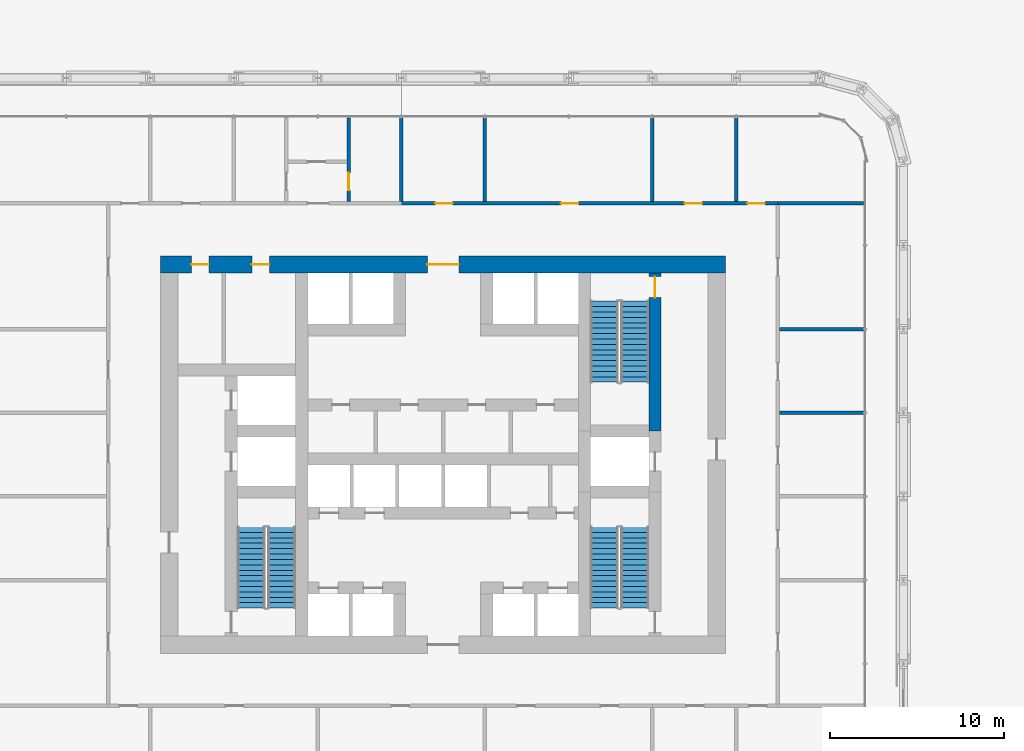
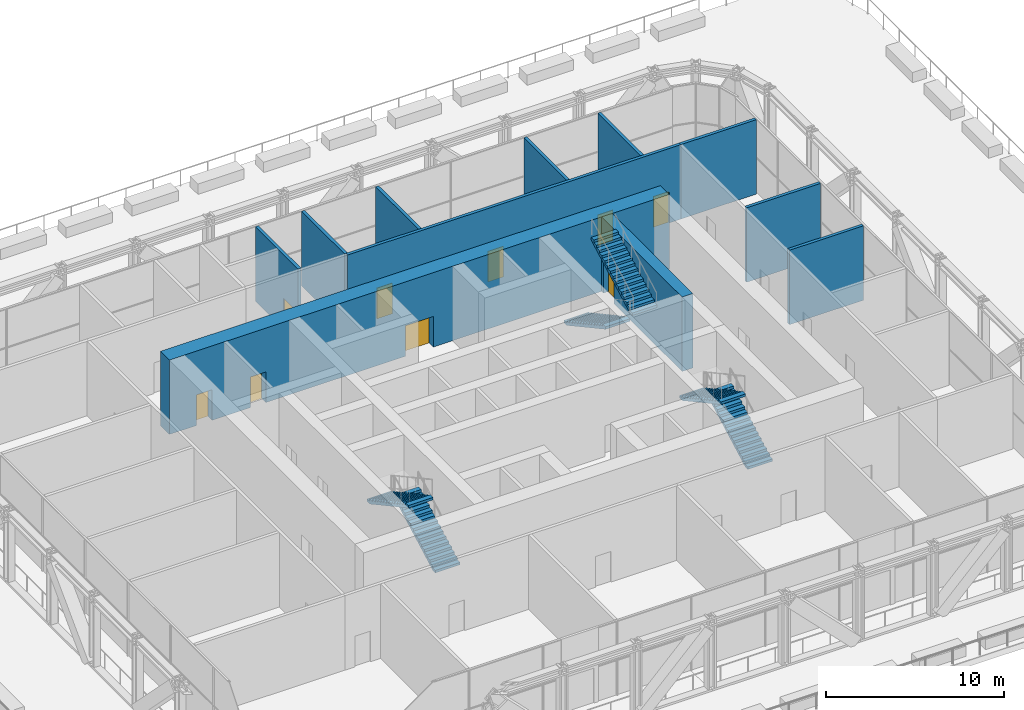
# One storey, part 16 of 22: 11 walls, 9 doors, 6 stair flights, 9 openings, 3 elements without a shape of their own.
"""IFC4 building model written with IfcOpenShell, lengths in metres."""

from ifc_helpers import new_model, si_unit, direction, frame, frame_2d, origin, place, context, subcontext, project, spatial, polyline, rectangle, outline, extrude, material, layer, layer_set, type_object, element, fill, aggregate, save


model = new_model("IFC4")

# Units and contexts
model_context = context("Model", 3, precision=1e-05, world=origin(), true_north=direction((0.0, 1.0)))
body_context = subcontext(model_context, "Body", "Model", "MODEL_VIEW")
ifc_project = project(units=[si_unit("LENGTHUNIT", "METRE"), si_unit("AREAUNIT", "SQUARE_METRE"), si_unit("VOLUMEUNIT", "CUBIC_METRE"), si_unit("PLANEANGLEUNIT", "RADIAN"), si_unit("MASSUNIT", "GRAM", prefix="KILO")], contexts=[model_context])

# Site, building, storey
site_placement = place(None, origin())
site = spatial("IfcSite", under=ifc_project, at=site_placement, CompositionType="ELEMENT")
building_placement = place(site_placement, origin())
building = spatial("IfcBuilding", under=site, at=building_placement, Name="Madar Terraces", CompositionType="ELEMENT")
storey_placement = place(building_placement, frame((0.0, 0.0, 24.0)))
storey = spatial("IfcBuildingStorey", under=building, at=storey_placement, Name="L05", CompositionType="ELEMENT", Elevation=24.0)

# Wall, opening, door
ifc_material_1 = material(Name="Concrete C80/95", Category="concrete")
ifc_layer_1 = layer(ifc_material_1, 0.699951171875)
ifc_layer_set_1 = layer_set([ifc_layer_1], Name="Concrete C80/95 (CIW1 RC wall 700)")
wall_type_1 = type_object("IfcWallType", Name="CIW1 RC wall 700", PredefinedType="SHEAR", material=ifc_layer_set_1)
wall_1_placement = place(storey_placement, frame((43.35009765625, 27.75, 0.0), z_axis=(0.0, 0.0, 1.0), x_axis=(0.0, 1.0, 0.0)))
wall_1 = element("IfcWall", 1, at=wall_1_placement, inside=storey, type_object=wall_type_1, Name="CORE SHAFT WALL", PredefinedType="SHEAR", context=body_context, shape_type="SweptSolid", body=[
    extrude(rectangle(XDim=9.050048828125, YDim=0.699951171875, at=frame_2d((4.52490234375, 0.0))), origin(), (0.0, 0.0, 1.0), 5.10009765625),
])
opening_1_placement = place(wall_1_placement, frame((7.64990234375, 0.0, 0.0)))
opening_1 = element("IfcOpeningElement", 2, at=opening_1_placement, cuts=wall_1, Name="Opening SD1", PredefinedType="OPENING", context=body_context, shape_type="SweptSolid", body=[
    extrude(rectangle(XDim=1.199951171875, YDim=2.10009765625, at=frame_2d((0.60009765625, 1.050048828125))), frame((0.0, 0.35986328125, 0.0), z_axis=(0.0, -1.0, 0.0), x_axis=(1.0, 0.0, 0.0)), (0.0, 0.0, 1.0), 0.719970703125),
])
ifc_material_2 = material(Name="Steel door leaf", Category="steel")
door_type_1 = type_object("IfcDoorType", Name="Stair door 1200 x 2100", OperationType="NOTDEFINED", PredefinedType="DOOR", material=ifc_material_2)
door_1_placement = place(opening_1_placement, origin())
door_1 = element("IfcDoor", 3, at=door_1_placement, inside=storey, type_object=door_type_1, Name="STAIR DOOR", OperationType="SINGLE_SWING_LEFT", OverallHeight=2.10009765625, OverallWidth=1.199951171875, PredefinedType="DOOR", context=body_context, shape_type="SweptSolid", body=[
    extrude(rectangle(XDim=1.199951171875, YDim=2.10009765625, at=frame_2d((0.60009765625, 1.050048828125))), frame((0.0, 0.02490234375, 0.0), z_axis=(0.0, -1.0, 0.0), x_axis=(1.0, 0.0, 0.0)), (0.0, 0.0, 1.0), 0.050048828125),
])
fill(opening_1, door_1)

# Wall, openings, doors
ifc_material_3 = material(Name="Concrete C80/95", Category="concrete")
ifc_layer_2 = layer(ifc_material_3, 1.0)
ifc_layer_set_2 = layer_set([ifc_layer_2], Name="Concrete C80/95 (CRW1 RC wall 1000)")
wall_type_2 = type_object("IfcWallType", Name="CRW1 RC wall 1000", PredefinedType="SHEAR", material=ifc_layer_set_2)
wall_2_placement = place(storey_placement, frame((15.0, 37.300048828125, 0.0), z_axis=(0.0, 0.0, 1.0), x_axis=(1.0, 0.0, 0.0)))
wall_2 = element("IfcWall", 4, at=wall_2_placement, inside=storey, type_object=wall_type_2, Name="CORE OUTER WALL", PredefinedType="SHEAR", context=body_context, shape_type="SweptSolid", body=[
    extrude(rectangle(XDim=32.39990234375, YDim=1.0, at=frame_2d((16.199951171875, 0.0))), origin(), (0.0, 0.0, 1.0), 5.10009765625),
])
opening_2_placement = place(wall_2_placement, frame((15.300048828125, 0.0, 0.0)))
opening_2 = element("IfcOpeningElement", 5, at=opening_2_placement, cuts=wall_2, Name="Opening KD1", PredefinedType="OPENING", context=body_context, shape_type="SweptSolid", body=[
    extrude(rectangle(XDim=1.800048828125, YDim=2.10009765625, at=frame_2d((0.89990234375, 1.050048828125))), frame((0.0, 0.510009765625, 0.0), z_axis=(0.0, -1.0, 0.0), x_axis=(1.0, 0.0, 0.0)), (0.0, 0.0, 1.0), 1.02001953125),
])
opening_3_placement = place(wall_2_placement, frame((1.766357421875, 0.0, 0.0)))
opening_3 = element("IfcOpeningElement", 6, at=opening_3_placement, cuts=wall_2, Name="Opening KD2", PredefinedType="OPENING", context=body_context, shape_type="SweptSolid", body=[
    extrude(rectangle(XDim=1.0, YDim=2.10009765625, at=frame_2d((0.5, 1.050048828125))), frame((0.0, 0.510009765625, 0.0), z_axis=(0.0, -1.0, 0.0), x_axis=(1.0, 0.0, 0.0)), (0.0, 0.0, 1.0), 1.02001953125),
])
opening_4_placement = place(wall_2_placement, frame((5.2412109375, 0.0, 0.0)))
opening_4 = element("IfcOpeningElement", 7, at=opening_4_placement, cuts=wall_2, Name="Opening KD2", PredefinedType="OPENING", context=body_context, shape_type="SweptSolid", body=[
    extrude(rectangle(XDim=1.0, YDim=2.10009765625, at=frame_2d((0.5, 1.050048828125))), frame((0.0, 0.510009765625, 0.0), z_axis=(0.0, -1.0, 0.0), x_axis=(1.0, 0.0, 0.0)), (0.0, 0.0, 1.0), 1.02001953125),
])
ifc_material_4 = material(Name="Steel door leaf", Category="steel")
door_type_2 = type_object("IfcDoorType", Name="Lobby door pair 1800 x 2100", OperationType="DOUBLE_DOOR_SINGLE_SWING", PredefinedType="DOOR", material=ifc_material_4)
door_2_placement = place(opening_2_placement, origin())
door_2 = element("IfcDoor", 8, at=door_2_placement, inside=storey, type_object=door_type_2, Name="LIFT LOBBY DOOR", OperationType="DOUBLE_DOOR_SINGLE_SWING", OverallHeight=2.10009765625, OverallWidth=1.800048828125, PredefinedType="DOOR", context=body_context, shape_type="SweptSolid", body=[
    extrude(rectangle(XDim=1.800048828125, YDim=2.10009765625, at=frame_2d((0.89990234375, 1.050048828125))), frame((0.0, 0.02490234375, 0.0), z_axis=(0.0, -1.0, 0.0), x_axis=(1.0, 0.0, 0.0)), (0.0, 0.0, 1.0), 0.050048828125),
])
fill(opening_2, door_2)
ifc_material_5 = material(Name="Steel door leaf", Category="steel")
door_type_3 = type_object("IfcDoorType", Name="Service room door 1000 x 2100", OperationType="NOTDEFINED", PredefinedType="DOOR", material=ifc_material_5)
door_3_placement = place(opening_3_placement, origin())
door_3 = element("IfcDoor", 9, at=door_3_placement, inside=storey, type_object=door_type_3, Name="SERVICE ROOM DOOR", OperationType="SINGLE_SWING_RIGHT", OverallHeight=2.10009765625, OverallWidth=1.0, PredefinedType="DOOR", context=body_context, shape_type="SweptSolid", body=[
    extrude(rectangle(XDim=1.0, YDim=2.10009765625, at=frame_2d((0.5, 1.050048828125))), frame((0.0, 0.02490234375, 0.0), z_axis=(0.0, -1.0, 0.0), x_axis=(1.0, 0.0, 0.0)), (0.0, 0.0, 1.0), 0.050048828125),
])
fill(opening_3, door_3)
door_4_placement = place(opening_4_placement, origin())
door_4 = element("IfcDoor", 10, at=door_4_placement, inside=storey, type_object=door_type_3, Name="SERVICE ROOM DOOR", OperationType="SINGLE_SWING_LEFT", OverallHeight=2.10009765625, OverallWidth=1.0, PredefinedType="DOOR", context=body_context, shape_type="SweptSolid", body=[
    extrude(rectangle(XDim=1.0, YDim=2.10009765625, at=frame_2d((0.5, 1.050048828125))), frame((0.0, 0.02490234375, 0.0), z_axis=(0.0, -1.0, 0.0), x_axis=(1.0, 0.0, 0.0)), (0.0, 0.0, 1.0), 0.050048828125),
])
fill(opening_4, door_4)

# Walls
ifc_material_6 = material(Name="Gypsum board partition, fire-rated")
ifc_layer_3 = layer(ifc_material_6, 0.199951171875)
ifc_layer_set_3 = layer_set([ifc_layer_3], Name="Partition 200 EI 60")
wall_type_3 = type_object("IfcWallType", Name="Partition 200 EI 60", PredefinedType="PARTITIONING", material=ifc_layer_set_3)
for number, where, z_axis, x_axis, name in (
    (11, (50.5, 28.800048828125, 0.0), (0.0, 0.0, 1.0), (1.0, 0.0, 0.0), "Wall OFFICE / GAMES ROOM"),
    (12, (50.5, 33.60009765625, 0.0), (0.0, 0.0, 1.0), (1.0, 0.0, 0.0), "Wall GAMES ROOM / WORKSHOP"),
):
    element("IfcWall", number, at=place(storey_placement, frame(where, z_axis=z_axis, x_axis=x_axis)), inside=storey, type_object=wall_type_3, Name=name, PredefinedType="PARTITIONING", context=body_context, shape_type="SweptSolid", body=[
        extrude(rectangle(XDim=4.800048828125, YDim=0.199951171875, at=frame_2d((2.39990234375, 0.0))), origin(), (0.0, 0.0, 1.0), 5.10009765625),
    ])
wall_3_placement = place(storey_placement, frame((50.39990234375, 40.800048828125, 0.0), z_axis=(0.0, 0.0, 1.0), x_axis=(1.0, 0.0, 0.0)))
element("IfcWall", 13, at=wall_3_placement, inside=storey, type_object=wall_type_3, Name="Wall ART ROOM / WORKSHOP", PredefinedType="PARTITIONING", context=body_context, shape_type="SweptSolid", body=[
    extrude(rectangle(XDim=4.900146484375, YDim=0.199951171875, at=frame_2d((2.4501953125, 0.0))), origin(), (0.0, 0.0, 1.0), 5.10009765625),
])

# Wall, openings, doors
wall_4_placement = place(storey_placement, frame((28.800048828125, 40.800048828125, 0.0), z_axis=(0.0, 0.0, 1.0), x_axis=(1.0, 0.0, 0.0)))
wall_4 = element("IfcWall", 14, at=wall_4_placement, inside=storey, type_object=wall_type_3, Name="Wall ART ROOM + CRAFT ROOM", PredefinedType="PARTITIONING", context=body_context, shape_type="SweptSolid", body=[
    extrude(rectangle(XDim=21.599853515625, YDim=0.199951171875, at=frame_2d((10.7998046875, 0.0))), origin(), (0.0, 0.0, 1.0), 5.10009765625),
])
opening_5_placement = place(wall_4_placement, frame((1.949951171875, 0.0, 0.0)))
opening_5 = element("IfcOpeningElement", 15, at=opening_5_placement, cuts=wall_4, Name="Opening D31", PredefinedType="OPENING", context=body_context, shape_type="SweptSolid", body=[
    extrude(rectangle(XDim=1.0, YDim=2.10009765625, at=frame_2d((0.5, 1.050048828125))), frame((0.0, 0.10986328125, 0.0), z_axis=(0.0, -1.0, 0.0), x_axis=(1.0, 0.0, 0.0)), (0.0, 0.0, 1.0), 0.219970703125),
])
opening_6_placement = place(wall_4_placement, frame((9.14990234375, 0.0, 0.0)))
opening_6 = element("IfcOpeningElement", 16, at=opening_6_placement, cuts=wall_4, Name="Opening D31", PredefinedType="OPENING", context=body_context, shape_type="SweptSolid", body=[
    extrude(rectangle(XDim=1.0, YDim=2.10009765625, at=frame_2d((0.5, 1.050048828125))), frame((0.0, 0.10986328125, 0.0), z_axis=(0.0, -1.0, 0.0), x_axis=(1.0, 0.0, 0.0)), (0.0, 0.0, 1.0), 0.219970703125),
])
opening_7_placement = place(wall_4_placement, frame((16.25, 0.0, 0.0)))
opening_7 = element("IfcOpeningElement", 17, at=opening_7_placement, cuts=wall_4, Name="Opening D31", PredefinedType="OPENING", context=body_context, shape_type="SweptSolid", body=[
    extrude(rectangle(XDim=1.0, YDim=2.10009765625, at=frame_2d((0.5, 1.050048828125))), frame((0.0, 0.10986328125, 0.0), z_axis=(0.0, -1.0, 0.0), x_axis=(1.0, 0.0, 0.0)), (0.0, 0.0, 1.0), 0.219970703125),
])
opening_8_placement = place(wall_4_placement, frame((19.85009765625, 0.0, 0.0)))
opening_8 = element("IfcOpeningElement", 18, at=opening_8_placement, cuts=wall_4, Name="Opening D31", PredefinedType="OPENING", context=body_context, shape_type="SweptSolid", body=[
    extrude(rectangle(XDim=1.0, YDim=2.10009765625, at=frame_2d((0.5, 1.050048828125))), frame((0.0, 0.10986328125, 0.0), z_axis=(0.0, -1.0, 0.0), x_axis=(1.0, 0.0, 0.0)), (0.0, 0.0, 1.0), 0.219970703125),
])
ifc_material_7 = material(Name="Timber door leaf, fire-rated", Category="wood")
door_type_4 = type_object("IfcDoorType", Name="Podium door 1000 x 2100 FD30S", OperationType="NOTDEFINED", PredefinedType="DOOR", material=ifc_material_7)
door_5_placement = place(opening_5_placement, origin())
door_5 = element("IfcDoor", 19, at=door_5_placement, inside=storey, type_object=door_type_4, Name="Door CRAFT ROOM / RING CORRIDOR", OperationType="SINGLE_SWING_RIGHT", OverallHeight=2.10009765625, OverallWidth=1.0, PredefinedType="DOOR", context=body_context, shape_type="SweptSolid", body=[
    extrude(rectangle(XDim=1.0, YDim=2.10009765625, at=frame_2d((0.5, 1.050048828125))), frame((0.0, 0.02490234375, 0.0), z_axis=(0.0, -1.0, 0.0), x_axis=(1.0, 0.0, 0.0)), (0.0, 0.0, 1.0), 0.050048828125),
])
fill(opening_5, door_5)
door_6_placement = place(opening_6_placement, origin())
door_6 = element("IfcDoor", 20, at=door_6_placement, inside=storey, type_object=door_type_4, Name="Door OFFICE / RING CORRIDOR", OperationType="SINGLE_SWING_RIGHT", OverallHeight=2.10009765625, OverallWidth=1.0, PredefinedType="DOOR", context=body_context, shape_type="SweptSolid", body=[
    extrude(rectangle(XDim=1.0, YDim=2.10009765625, at=frame_2d((0.5, 1.050048828125))), frame((0.0, 0.02490234375, 0.0), z_axis=(0.0, -1.0, 0.0), x_axis=(1.0, 0.0, 0.0)), (0.0, 0.0, 1.0), 0.050048828125),
])
fill(opening_6, door_6)
door_7_placement = place(opening_7_placement, origin())
door_7 = element("IfcDoor", 21, at=door_7_placement, inside=storey, type_object=door_type_4, Name="Door QUIET ROOM / RING CORRIDOR", OperationType="SINGLE_SWING_LEFT", OverallHeight=2.10009765625, OverallWidth=1.0, PredefinedType="DOOR", context=body_context, shape_type="SweptSolid", body=[
    extrude(rectangle(XDim=1.0, YDim=2.10009765625, at=frame_2d((0.5, 1.050048828125))), frame((0.0, 0.02490234375, 0.0), z_axis=(0.0, -1.0, 0.0), x_axis=(1.0, 0.0, 0.0)), (0.0, 0.0, 1.0), 0.050048828125),
])
fill(opening_7, door_7)
door_8_placement = place(opening_8_placement, origin())
door_8 = element("IfcDoor", 22, at=door_8_placement, inside=storey, type_object=door_type_4, Name="Door ART ROOM / RING CORRIDOR", OperationType="SINGLE_SWING_LEFT", OverallHeight=2.10009765625, OverallWidth=1.0, PredefinedType="DOOR", context=body_context, shape_type="SweptSolid", body=[
    extrude(rectangle(XDim=1.0, YDim=2.10009765625, at=frame_2d((0.5, 1.050048828125))), frame((0.0, 0.02490234375, 0.0), z_axis=(0.0, -1.0, 0.0), x_axis=(1.0, 0.0, 0.0)), (0.0, 0.0, 1.0), 0.050048828125),
])
fill(opening_8, door_8)

# Wall, opening, door
wall_5_placement = place(storey_placement, frame((25.800048828125, 45.699951171875, 0.0), z_axis=(0.0, 0.0, 1.0), x_axis=(0.0, -1.0, 0.0)))
wall_5 = element("IfcWall", 23, at=wall_5_placement, inside=storey, type_object=wall_type_3, Name="Wall WC LOBBY + WC WOMEN", PredefinedType="PARTITIONING", context=body_context, shape_type="SweptSolid", body=[
    extrude(rectangle(XDim=4.800048828125, YDim=0.199951171875, at=frame_2d((2.39990234375, 0.0))), origin(), (0.0, 0.0, 1.0), 5.10009765625),
])
opening_9_placement = place(wall_5_placement, frame((3.14990234375, 0.0, 0.0)))
opening_9 = element("IfcOpeningElement", 24, at=opening_9_placement, cuts=wall_5, Name="Opening D31", PredefinedType="OPENING", context=body_context, shape_type="SweptSolid", body=[
    extrude(rectangle(XDim=1.0, YDim=2.10009765625, at=frame_2d((0.5, 1.050048828125))), frame((0.0, 0.10986328125, 0.0), z_axis=(0.0, -1.0, 0.0), x_axis=(1.0, 0.0, 0.0)), (0.0, 0.0, 1.0), 0.219970703125),
])
door_9_placement = place(opening_9_placement, origin())
door_9 = element("IfcDoor", 25, at=door_9_placement, inside=storey, type_object=door_type_4, Name="Door WC LOBBY / WC WOMEN", OperationType="SINGLE_SWING_RIGHT", OverallHeight=2.10009765625, OverallWidth=1.0, PredefinedType="DOOR", context=body_context, shape_type="SweptSolid", body=[
    extrude(rectangle(XDim=1.0, YDim=2.10009765625, at=frame_2d((0.5, 1.050048828125))), frame((0.0, 0.02490234375, 0.0), z_axis=(0.0, -1.0, 0.0), x_axis=(1.0, 0.0, 0.0)), (0.0, 0.0, 1.0), 0.050048828125),
])
fill(opening_9, door_9)

# Walls
for number, where, z_axis, x_axis, name in (
    (26, (28.800048828125, 40.89990234375, 0.0), (0.0, 0.0, 1.0), (0.0, 1.0, 0.0), "Wall WC WOMEN / CRAFT ROOM"),
    (27, (33.60009765625, 40.89990234375, 0.0), (0.0, 0.0, 1.0), (0.0, 1.0, 0.0), "Wall CRAFT ROOM / OFFICE"),
    (28, (43.199951171875, 40.89990234375, 0.0), (0.0, 0.0, 1.0), (0.0, 1.0, 0.0), "Wall OFFICE / QUIET ROOM"),
    (29, (48.0, 40.89990234375, 0.0), (0.0, 0.0, 1.0), (0.0, 1.0, 0.0), "Wall QUIET ROOM / ART ROOM"),
):
    element("IfcWall", number, at=place(storey_placement, frame(where, z_axis=z_axis, x_axis=x_axis)), inside=storey, type_object=wall_type_3, Name=name, PredefinedType="PARTITIONING", context=body_context, shape_type="SweptSolid", body=[
        extrude(rectangle(XDim=4.800048828125, YDim=0.199951171875, at=frame_2d((2.39990234375, 0.0))), origin(), (0.0, 0.0, 1.0), 5.10009765625),
    ])

# Stair, stair flights
ifc_material_8 = material(Name="Concrete C50/60", Category="concrete")
stair_type_1 = type_object("IfcStairType", Name="Stair ST1 protected exit", PredefinedType="HALF_TURN_STAIR", material=ifc_material_8)
stair_1_placement = place(storey_placement, origin())
stair_1 = element("IfcStair", 30, at=stair_1_placement, inside=storey, type_object=stair_type_1, Name="L05 Protected Exit Stair ST1", PredefinedType="HALF_TURN_STAIR")
ifc_material_9 = material(Name="Concrete C50/60", Category="concrete")
stair_flight_type_1 = type_object("IfcStairFlightType", Name="Stair flight ST1-F3, 1600 wide, 16 risers", PredefinedType="STRAIGHT", material=ifc_material_9)
stair_flight_1_placement = place(storey_placement, frame((21.949951171875, 17.60009765625, 0.0), z_axis=(0.0, 0.0, 1.0), x_axis=(0.0, 1.0, 0.0)))
stair_flight_1 = element("IfcStairFlight", 31, at=stair_flight_1_placement, type_object=stair_flight_type_1, Name="ST1 flight 1", NumberOfRisers=16, NumberOfTreads=15, PredefinedType="STRAIGHT", RiserHeight=0.16875, TreadLength=0.31, context=body_context, shape_type="SweptSolid", body=[
    extrude(outline(polyline([(0.0, 0.0), (0.0, 0.168701171875), (0.31005859375, 0.168701171875), (0.31005859375, 0.33740234375), (0.6201171875, 0.33740234375), (0.6201171875, 0.50634765625), (0.929931640625, 0.50634765625), (0.929931640625, 0.675048828125), (1.239990234375, 0.675048828125), (1.239990234375, 0.84375), (1.550048828125, 0.84375), (1.550048828125, 1.012451171875), (1.860107421875, 1.012451171875), (1.860107421875, 1.18115234375), (2.169921875, 1.18115234375), (2.169921875, 1.35009765625), (2.47998046875, 1.35009765625), (2.47998046875, 1.518798828125), (2.7900390625, 1.518798828125), (2.7900390625, 1.6875), (3.10009765625, 1.6875), (3.10009765625, 1.856201171875), (3.409912109375, 1.856201171875), (3.409912109375, 2.02490234375), (3.719970703125, 2.02490234375), (3.719970703125, 2.19384765625), (4.030029296875, 2.19384765625), (4.030029296875, 2.362548828125), (4.340087890625, 2.362548828125), (4.340087890625, 2.53125), (4.64990234375, 2.53125), (4.64990234375, 2.699951171875), (4.64990234375, 2.360595703125), (0.3134765625, 0.0), (0.0, 0.0)])), frame((0.0, 0.800048828125, 0.0), z_axis=(0.0, -1.0, 0.0), x_axis=(1.0, 0.0, 0.0)), (0.0, 0.0, 1.0), 1.60009765625),
])
stair_flight_2_placement = place(storey_placement, frame((20.199951171875, 22.25, 2.699951171875), z_axis=(0.0, 0.0, 1.0), x_axis=(0.0, -1.0, 0.0)))
stair_flight_2 = element("IfcStairFlight", 32, at=stair_flight_2_placement, type_object=stair_flight_type_1, Name="ST1 flight 2", NumberOfRisers=16, NumberOfTreads=15, PredefinedType="STRAIGHT", RiserHeight=0.16875, TreadLength=0.31, context=body_context, shape_type="SweptSolid", body=[
    extrude(outline(polyline([(0.0, 0.0), (0.0, 0.168701171875), (0.31005859375, 0.168701171875), (0.31005859375, 0.33740234375), (0.6201171875, 0.33740234375), (0.6201171875, 0.50634765625), (0.929931640625, 0.50634765625), (0.929931640625, 0.675048828125), (1.239990234375, 0.675048828125), (1.239990234375, 0.84375), (1.550048828125, 0.84375), (1.550048828125, 1.012451171875), (1.860107421875, 1.012451171875), (1.860107421875, 1.18115234375), (2.169921875, 1.18115234375), (2.169921875, 1.35009765625), (2.47998046875, 1.35009765625), (2.47998046875, 1.518798828125), (2.7900390625, 1.518798828125), (2.7900390625, 1.6875), (3.10009765625, 1.6875), (3.10009765625, 1.856201171875), (3.409912109375, 1.856201171875), (3.409912109375, 2.02490234375), (3.719970703125, 2.02490234375), (3.719970703125, 2.19384765625), (4.030029296875, 2.19384765625), (4.030029296875, 2.362548828125), (4.340087890625, 2.362548828125), (4.340087890625, 2.53125), (4.64990234375, 2.53125), (4.64990234375, 2.699951171875), (4.64990234375, 2.360595703125), (0.3134765625, 0.0), (0.0, 0.0)])), frame((0.0, 0.800048828125, 0.0), z_axis=(0.0, -1.0, 0.0), x_axis=(1.0, 0.0, 0.0)), (0.0, 0.0, 1.0), 1.60009765625),
])
aggregate(stair_1, [stair_flight_1, stair_flight_2])

ifc_material_10 = material(Name="Concrete C50/60", Category="concrete")
stair_type_2 = type_object("IfcStairType", Name="Stair ST2 protected exit", PredefinedType="HALF_TURN_STAIR", material=ifc_material_10)
stair_2_placement = place(storey_placement, origin())
stair_2 = element("IfcStair", 33, at=stair_2_placement, inside=storey, type_object=stair_type_2, Name="L05 Protected Exit Stair ST2", PredefinedType="HALF_TURN_STAIR")
ifc_material_11 = material(Name="Concrete C50/60", Category="concrete")
stair_flight_type_2 = type_object("IfcStairFlightType", Name="Stair flight ST2-F3, 1600 wide, 16 risers", PredefinedType="STRAIGHT", material=ifc_material_11)
stair_flight_3_placement = place(storey_placement, frame((40.449951171875, 35.199951171875, 0.0), z_axis=(0.0, 0.0, 1.0), x_axis=(0.0, -1.0, 0.0)))
stair_flight_3 = element("IfcStairFlight", 34, at=stair_flight_3_placement, type_object=stair_flight_type_2, Name="ST2 flight 1", NumberOfRisers=16, NumberOfTreads=15, PredefinedType="STRAIGHT", RiserHeight=0.16875, TreadLength=0.31, context=body_context, shape_type="SweptSolid", body=[
    extrude(outline(polyline([(0.0, 0.0), (0.0, 0.168701171875), (0.31005859375, 0.168701171875), (0.31005859375, 0.33740234375), (0.6201171875, 0.33740234375), (0.6201171875, 0.50634765625), (0.929931640625, 0.50634765625), (0.929931640625, 0.675048828125), (1.239990234375, 0.675048828125), (1.239990234375, 0.84375), (1.550048828125, 0.84375), (1.550048828125, 1.012451171875), (1.860107421875, 1.012451171875), (1.860107421875, 1.18115234375), (2.169921875, 1.18115234375), (2.169921875, 1.35009765625), (2.47998046875, 1.35009765625), (2.47998046875, 1.518798828125), (2.7900390625, 1.518798828125), (2.7900390625, 1.6875), (3.10009765625, 1.6875), (3.10009765625, 1.856201171875), (3.409912109375, 1.856201171875), (3.409912109375, 2.02490234375), (3.719970703125, 2.02490234375), (3.719970703125, 2.19384765625), (4.030029296875, 2.19384765625), (4.030029296875, 2.362548828125), (4.340087890625, 2.362548828125), (4.340087890625, 2.53125), (4.64990234375, 2.53125), (4.64990234375, 2.699951171875), (4.64990234375, 2.360595703125), (0.3134765625, 0.0), (0.0, 0.0)])), frame((0.0, 0.800048828125, 0.0), z_axis=(0.0, -1.0, 0.0), x_axis=(1.0, 0.0, 0.0)), (0.0, 0.0, 1.0), 1.60009765625),
])
stair_flight_4_placement = place(storey_placement, frame((42.199951171875, 30.550048828125, 2.699951171875), z_axis=(0.0, 0.0, 1.0), x_axis=(0.0, 1.0, 0.0)))
stair_flight_4 = element("IfcStairFlight", 35, at=stair_flight_4_placement, type_object=stair_flight_type_2, Name="ST2 flight 2", NumberOfRisers=16, NumberOfTreads=15, PredefinedType="STRAIGHT", RiserHeight=0.16875, TreadLength=0.31, context=body_context, shape_type="SweptSolid", body=[
    extrude(outline(polyline([(0.0, 0.0), (0.0, 0.168701171875), (0.31005859375, 0.168701171875), (0.31005859375, 0.33740234375), (0.6201171875, 0.33740234375), (0.6201171875, 0.50634765625), (0.929931640625, 0.50634765625), (0.929931640625, 0.675048828125), (1.239990234375, 0.675048828125), (1.239990234375, 0.84375), (1.550048828125, 0.84375), (1.550048828125, 1.012451171875), (1.860107421875, 1.012451171875), (1.860107421875, 1.18115234375), (2.169921875, 1.18115234375), (2.169921875, 1.35009765625), (2.47998046875, 1.35009765625), (2.47998046875, 1.518798828125), (2.7900390625, 1.518798828125), (2.7900390625, 1.6875), (3.10009765625, 1.6875), (3.10009765625, 1.856201171875), (3.409912109375, 1.856201171875), (3.409912109375, 2.02490234375), (3.719970703125, 2.02490234375), (3.719970703125, 2.19384765625), (4.030029296875, 2.19384765625), (4.030029296875, 2.362548828125), (4.340087890625, 2.362548828125), (4.340087890625, 2.53125), (4.64990234375, 2.53125), (4.64990234375, 2.699951171875), (4.64990234375, 2.360595703125), (0.3134765625, 0.0), (0.0, 0.0)])), frame((0.0, 0.800048828125, 0.0), z_axis=(0.0, -1.0, 0.0), x_axis=(1.0, 0.0, 0.0)), (0.0, 0.0, 1.0), 1.60009765625),
])
aggregate(stair_2, [stair_flight_3, stair_flight_4])

ifc_material_12 = material(Name="Concrete C50/60", Category="concrete")
stair_type_3 = type_object("IfcStairType", Name="Stair ST3 protected exit", PredefinedType="HALF_TURN_STAIR", material=ifc_material_12)
stair_3_placement = place(storey_placement, origin())
stair_3 = element("IfcStair", 36, at=stair_3_placement, inside=storey, type_object=stair_type_3, Name="L05 Protected Exit Stair ST3", PredefinedType="HALF_TURN_STAIR")
ifc_material_13 = material(Name="Concrete C50/60", Category="concrete")
stair_flight_type_3 = type_object("IfcStairFlightType", Name="Stair flight ST3-F3, 1600 wide, 16 risers", PredefinedType="STRAIGHT", material=ifc_material_13)
stair_flight_5_placement = place(storey_placement, frame((42.199951171875, 17.60009765625, 0.0), z_axis=(0.0, 0.0, 1.0), x_axis=(0.0, 1.0, 0.0)))
stair_flight_5 = element("IfcStairFlight", 37, at=stair_flight_5_placement, type_object=stair_flight_type_3, Name="ST3 flight 1", NumberOfRisers=16, NumberOfTreads=15, PredefinedType="STRAIGHT", RiserHeight=0.16875, TreadLength=0.31, context=body_context, shape_type="SweptSolid", body=[
    extrude(outline(polyline([(0.0, 0.0), (0.0, 0.168701171875), (0.31005859375, 0.168701171875), (0.31005859375, 0.33740234375), (0.6201171875, 0.33740234375), (0.6201171875, 0.50634765625), (0.929931640625, 0.50634765625), (0.929931640625, 0.675048828125), (1.239990234375, 0.675048828125), (1.239990234375, 0.84375), (1.550048828125, 0.84375), (1.550048828125, 1.012451171875), (1.860107421875, 1.012451171875), (1.860107421875, 1.18115234375), (2.169921875, 1.18115234375), (2.169921875, 1.35009765625), (2.47998046875, 1.35009765625), (2.47998046875, 1.518798828125), (2.7900390625, 1.518798828125), (2.7900390625, 1.6875), (3.10009765625, 1.6875), (3.10009765625, 1.856201171875), (3.409912109375, 1.856201171875), (3.409912109375, 2.02490234375), (3.719970703125, 2.02490234375), (3.719970703125, 2.19384765625), (4.030029296875, 2.19384765625), (4.030029296875, 2.362548828125), (4.340087890625, 2.362548828125), (4.340087890625, 2.53125), (4.64990234375, 2.53125), (4.64990234375, 2.699951171875), (4.64990234375, 2.360595703125), (0.3134765625, 0.0), (0.0, 0.0)])), frame((0.0, 0.800048828125, 0.0), z_axis=(0.0, -1.0, 0.0), x_axis=(1.0, 0.0, 0.0)), (0.0, 0.0, 1.0), 1.60009765625),
])
stair_flight_6_placement = place(storey_placement, frame((40.449951171875, 22.25, 2.699951171875), z_axis=(0.0, 0.0, 1.0), x_axis=(0.0, -1.0, 0.0)))
stair_flight_6 = element("IfcStairFlight", 38, at=stair_flight_6_placement, type_object=stair_flight_type_3, Name="ST3 flight 2", NumberOfRisers=16, NumberOfTreads=15, PredefinedType="STRAIGHT", RiserHeight=0.16875, TreadLength=0.31, context=body_context, shape_type="SweptSolid", body=[
    extrude(outline(polyline([(0.0, 0.0), (0.0, 0.168701171875), (0.31005859375, 0.168701171875), (0.31005859375, 0.33740234375), (0.6201171875, 0.33740234375), (0.6201171875, 0.50634765625), (0.929931640625, 0.50634765625), (0.929931640625, 0.675048828125), (1.239990234375, 0.675048828125), (1.239990234375, 0.84375), (1.550048828125, 0.84375), (1.550048828125, 1.012451171875), (1.860107421875, 1.012451171875), (1.860107421875, 1.18115234375), (2.169921875, 1.18115234375), (2.169921875, 1.35009765625), (2.47998046875, 1.35009765625), (2.47998046875, 1.518798828125), (2.7900390625, 1.518798828125), (2.7900390625, 1.6875), (3.10009765625, 1.6875), (3.10009765625, 1.856201171875), (3.409912109375, 1.856201171875), (3.409912109375, 2.02490234375), (3.719970703125, 2.02490234375), (3.719970703125, 2.19384765625), (4.030029296875, 2.19384765625), (4.030029296875, 2.362548828125), (4.340087890625, 2.362548828125), (4.340087890625, 2.53125), (4.64990234375, 2.53125), (4.64990234375, 2.699951171875), (4.64990234375, 2.360595703125), (0.3134765625, 0.0), (0.0, 0.0)])), frame((0.0, 0.800048828125, 0.0), z_axis=(0.0, -1.0, 0.0), x_axis=(1.0, 0.0, 0.0)), (0.0, 0.0, 1.0), 1.60009765625),
])
aggregate(stair_3, [stair_flight_5, stair_flight_6])

save(model, "model.ifc")
